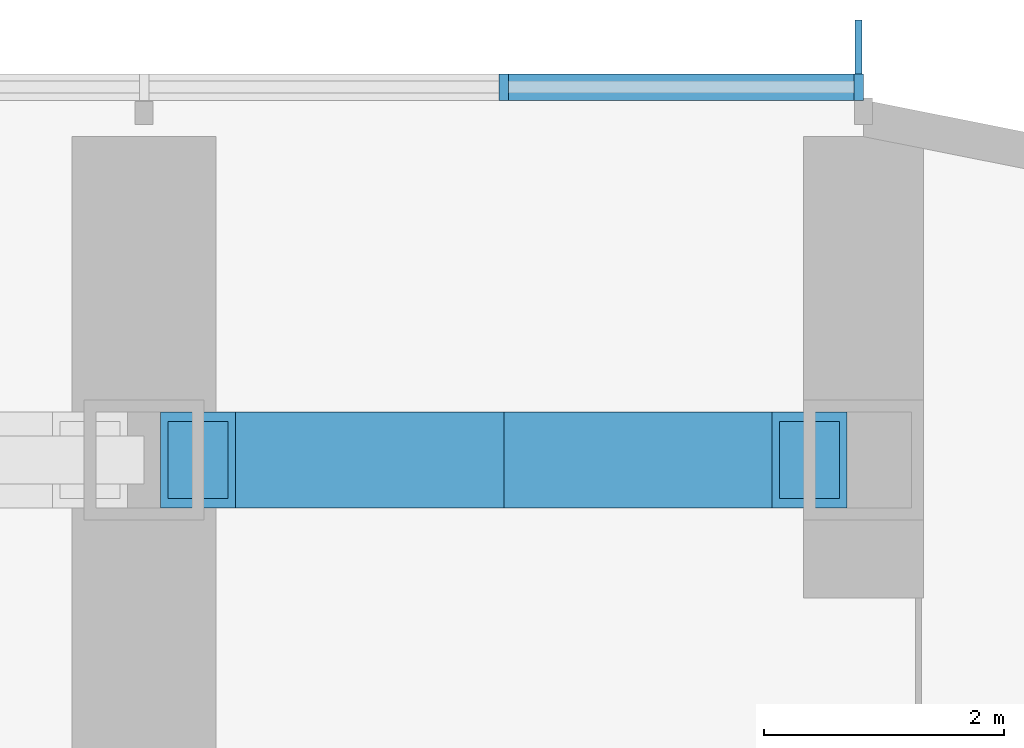
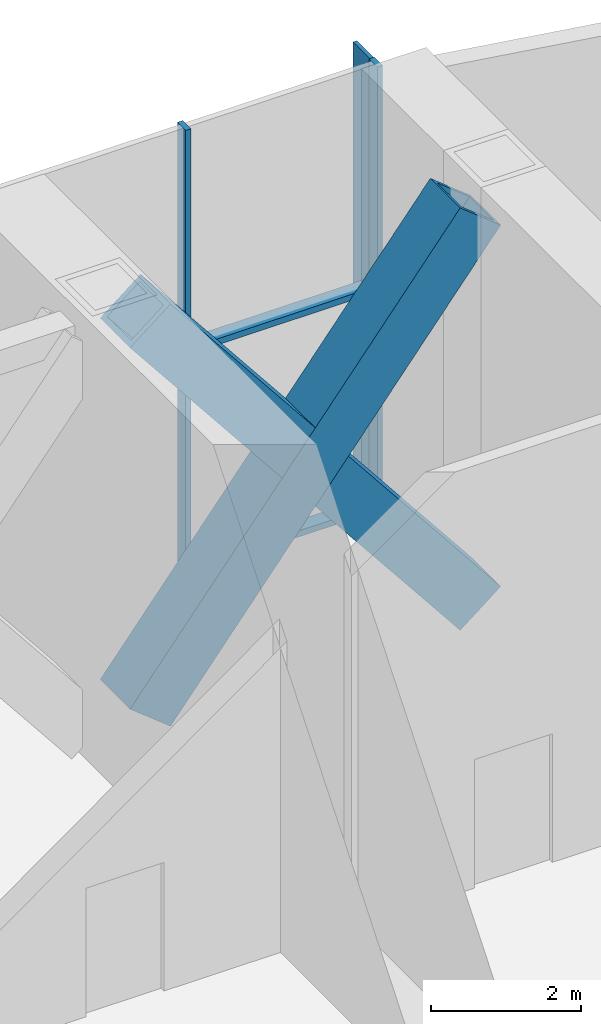
# One storey, part 7 of 24: 7 members, 1 element without a shape of its own.
"""IFC4 building model written with IfcOpenShell, lengths in metres."""

from ifc_helpers import new_model, si_unit, direction, frame, origin, origin_2d, place, context, subcontext, project, spatial, rectangle, hollow_rectangle, extrude, material, material_profile, profile_set, type_object, element, aggregate, save


model = new_model("IFC4")

# Units and contexts
model_context = context("Model", 3, precision=1e-05, world=origin(), true_north=direction((0.0, 1.0)))
body_context = subcontext(model_context, "Body", "Model", "MODEL_VIEW")
ifc_project = project(units=[si_unit("LENGTHUNIT", "METRE"), si_unit("AREAUNIT", "SQUARE_METRE"), si_unit("VOLUMEUNIT", "CUBIC_METRE"), si_unit("PLANEANGLEUNIT", "RADIAN"), si_unit("MASSUNIT", "GRAM", prefix="KILO")], contexts=[model_context])

# Site, building, storey
site_placement = place(None, origin())
site = spatial("IfcSite", under=ifc_project, at=site_placement, CompositionType="ELEMENT")
building_placement = place(site_placement, origin())
building = spatial("IfcBuilding", under=site, at=building_placement, Name="Orbita Commons", CompositionType="ELEMENT")
storey_placement = place(building_placement, frame((0.0, 0.0, 68.949951171875)))
storey = spatial("IfcBuildingStorey", under=building, at=storey_placement, Name="L17", CompositionType="ELEMENT", Elevation=68.949951171875)

# Members
ifc_material_1 = material(Name="Steel ASTM A572 Gr 50 welded plate", Category="steel")
ifc_material_profile_1 = material_profile(ifc_material_1, hollow_rectangle(XDim=0.800048828125, YDim=0.800048828125, WallThickness=0.080078125, at=origin_2d()), Name="BOX 800x800x80")
ifc_profile_set_1 = profile_set([ifc_material_profile_1], Name="Steel ASTM A572 Gr 50 welded plate")
member_type_1 = type_object("IfcMemberType", Name="Belt truss diagonal BOX 800x800x80", PredefinedType="BRACE", material=ifc_profile_set_1)
for number, where, z_axis, x_axis, name in (
    (1, (66.449951171875, 53.60009765625, 0.25), (0.623202279578, 0.0, 0.782060687369), (0.0, 1.0, 0.0), "Belt truss diagonal E 12-13 rising L17"),
    (2, (66.449951171875, 53.60009765625, 6.650146484375), (0.623202279578, 0.0, -0.782060687369), (0.0, 1.0, 0.0), "Belt truss diagonal E 12-13 falling L17"),
):
    element("IfcMember", number, at=place(storey_placement, frame(where, z_axis=z_axis, x_axis=x_axis)), inside=storey, type_object=member_type_1, Name=name, PredefinedType="BRACE", context=body_context, shape_type="SweptSolid", body=[
        extrude(hollow_rectangle(XDim=0.800048828125, YDim=0.800048828125, WallThickness=0.080078125, at=origin_2d()), origin(), (0.0, 0.0, 1.0), 8.18359375),
    ])

# Curtain wall, members
ifc_material_2 = material(Name="Anodised aluminium frame, pale silver", Category="aluminium")
curtain_wall_type = type_object("IfcCurtainWallType", Name="Louvred curtain wall CW-V", PredefinedType="NOTDEFINED", material=ifc_material_2)
curtain_wall_placement = place(storey_placement, origin())
curtain_wall = element("IfcCurtainWall", 3, at=curtain_wall_placement, inside=storey, type_object=curtain_wall_type, Name="Curtain wall north L17", PredefinedType="NOTDEFINED")
ifc_material_3 = material(Name="Anodised aluminium, pale silver", Category="aluminium")
ifc_material_profile_2 = material_profile(ifc_material_3, rectangle(XDim=0.080078125, YDim=0.219970703125, at=origin_2d()), Name="AL 80x220")
ifc_profile_set_2 = profile_set([ifc_material_profile_2], Name="Anodised aluminium, pale silver")
member_type_2 = type_object("IfcMemberType", Name="Curtain wall mullion 80x220", PredefinedType="MULLION", material=ifc_profile_set_2)
member_1_placement = place(storey_placement, frame((71.9599609375, 56.7099609375, -0.349853515625), z_axis=(0.0, 0.0, 1.0), x_axis=(-1.0, 0.0, 0.0)))
member_1 = element("IfcMember", 4, at=member_1_placement, type_object=member_type_2, Name="Mullion 1 CW-L17-N", PredefinedType="MULLION", context=body_context, shape_type="SweptSolid", body=[
    extrude(rectangle(XDim=0.080078125, YDim=0.219970703125, at=origin_2d()), origin(), (0.0, 0.0, 1.0), 7.25),
])
member_2_placement = place(storey_placement, frame((69.0, 56.7099609375, -0.349853515625), z_axis=(0.0, 0.0, 1.0), x_axis=(-1.0, 0.0, 0.0)))
member_2 = element("IfcMember", 5, at=member_2_placement, type_object=member_type_2, Name="Mullion 2 CW-L17-N", PredefinedType="MULLION", context=body_context, shape_type="SweptSolid", body=[
    extrude(rectangle(XDim=0.080078125, YDim=0.219970703125, at=origin_2d()), origin(), (0.0, 0.0, 1.0), 7.25),
])
ifc_material_4 = material(Name="Anodised aluminium, pale silver", Category="aluminium")
ifc_material_profile_3 = material_profile(ifc_material_4, rectangle(XDim=0.219970703125, YDim=0.10009765625, at=origin_2d()), Name="AL 220x100")
ifc_profile_set_3 = profile_set([ifc_material_profile_3], Name="Anodised aluminium, pale silver")
member_type_3 = type_object("IfcMemberType", Name="Curtain wall stack transom 220x100", PredefinedType="USERDEFINED", material=ifc_profile_set_3)
member_3_placement = place(storey_placement, frame((71.919921875, 56.7099609375, -0.300048828125), z_axis=(-1.0, 0.0, 0.0), x_axis=(0.0, -1.0, 0.0)))
member_3 = element("IfcMember", 6, at=member_3_placement, type_object=member_type_3, Name="Transom 1.1 CW-L17-N", ObjectType="TRANSOM", PredefinedType="USERDEFINED", context=body_context, shape_type="SweptSolid", body=[
    extrude(rectangle(XDim=0.219970703125, YDim=0.10009765625, at=origin_2d()), origin(), (0.0, 0.0, 1.0), 2.8798828125),
])
member_4_placement = place(storey_placement, frame((71.919921875, 56.7099609375, 3.275146484375), z_axis=(-1.0, 0.0, 0.0), x_axis=(0.0, -1.0, 0.0)))
member_4 = element("IfcMember", 7, at=member_4_placement, type_object=member_type_3, Name="Transom 1.2 CW-L17-N", ObjectType="TRANSOM", PredefinedType="USERDEFINED", context=body_context, shape_type="SweptSolid", body=[
    extrude(rectangle(XDim=0.219970703125, YDim=0.10009765625, at=origin_2d()), origin(), (0.0, 0.0, 1.0), 2.8798828125),
])
ifc_material_5 = material(Name="Anodised aluminium, pale silver", Category="aluminium")
ifc_material_profile_4 = material_profile(ifc_material_5, rectangle(XDim=0.06005859375, YDim=0.449951171875, at=origin_2d()), Name="FIN 60x450")
ifc_profile_set_4 = profile_set([ifc_material_profile_4], Name="Anodised aluminium, pale silver")
member_type_4 = type_object("IfcMemberType", Name="Vertical fin 60x450 pale aluminium", PredefinedType="USERDEFINED", material=ifc_profile_set_4)
member_5_placement = place(storey_placement, frame((71.9599609375, 57.044921875, -0.349853515625), z_axis=(0.0, 0.0, 1.0), x_axis=(-1.0, 0.0, 0.0)))
member_5 = element("IfcMember", 8, at=member_5_placement, type_object=member_type_4, Name="Fin 1 CW-L17-N", ObjectType="FIN", PredefinedType="USERDEFINED", context=body_context, shape_type="SweptSolid", body=[
    extrude(rectangle(XDim=0.06005859375, YDim=0.449951171875, at=origin_2d()), origin(), (0.0, 0.0, 1.0), 7.25),
])
aggregate(curtain_wall, [member_1, member_5, member_2, member_3, member_4])

save(model, "model.ifc")
